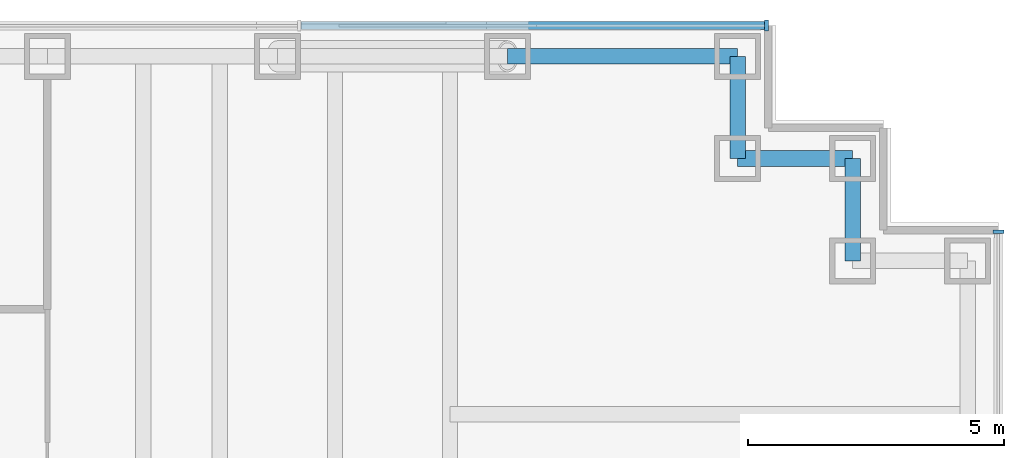
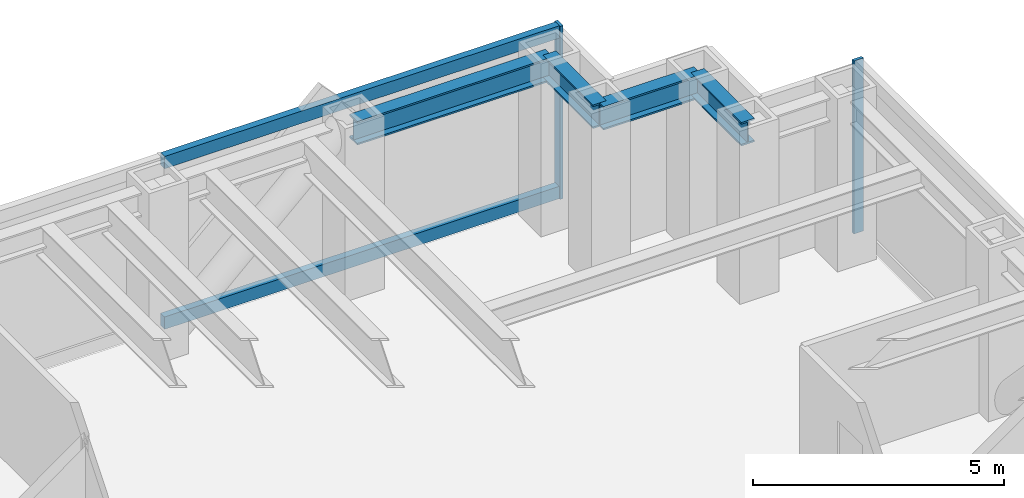
# One storey, part 9 of 15: 4 beams, 4 members, 2 elements without a shape of their own.
"""IFC4 building model written with IfcOpenShell, lengths in metres."""

from ifc_helpers import new_model, si_unit, direction, frame, origin, origin_2d, place, context, subcontext, project, spatial, rectangle, i_section, extrude, material, material_profile, profile_set, type_object, element, aggregate, save


model = new_model("IFC4")

# Units and contexts
model_context = context("Model", 3, precision=1e-05, world=origin(), true_north=direction((0.0, 1.0)))
body_context = subcontext(model_context, "Body", "Model", "MODEL_VIEW")
ifc_project = project(units=[si_unit("LENGTHUNIT", "METRE"), si_unit("AREAUNIT", "SQUARE_METRE"), si_unit("VOLUMEUNIT", "CUBIC_METRE"), si_unit("PLANEANGLEUNIT", "RADIAN"), si_unit("MASSUNIT", "GRAM", prefix="KILO")], contexts=[model_context])

# Site, building, storey
site_placement = place(None, origin())
site = spatial("IfcSite", under=ifc_project, at=site_placement, CompositionType="ELEMENT")
building_placement = place(site_placement, origin())
building = spatial("IfcBuilding", under=site, at=building_placement, Name="Rheinbord Bourse Tower", CompositionType="ELEMENT")
storey_placement = place(building_placement, frame((0.0, 0.0, 146.699951171875)))
storey = spatial("IfcBuildingStorey", under=building, at=storey_placement, Name="L32", CompositionType="ELEMENT", Elevation=146.699951171875)

# Curtain wall, member
ifc_material_1 = material(Name="Dark glass and black aluminium", Category="aluminium")
curtain_wall_type = type_object("IfcCurtainWallType", Name="CW2 DARK GLASS CURTAIN WALL", PredefinedType="USERDEFINED", material=ifc_material_1)
curtain_wall_1_placement = place(storey_placement, origin())
curtain_wall_1 = element("IfcCurtainWall", 1, at=curtain_wall_1_placement, inside=storey, type_object=curtain_wall_type, Name="Curtain wall CW2 E L32", ObjectType="UNITISED CURTAIN WALL", PredefinedType="USERDEFINED")
ifc_material_2 = material(Name="Black anodised aluminium", Category="aluminium")
ifc_material_profile_1 = material_profile(ifc_material_2, rectangle(XDim=0.219970703125, YDim=0.070068359375, at=origin_2d()), Name="CW2 MULLION 70x220")
ifc_profile_set_1 = profile_set([ifc_material_profile_1], Name="Black anodised aluminium")
member_type_1 = type_object("IfcMemberType", Name="CW2 BLACK MULLION", PredefinedType="MULLION", material=ifc_profile_set_1)
member_1_placement = place(storey_placement, frame((72.60009765625, 42.56494140625, 0.0), z_axis=(0.0, 0.0, 1.0), x_axis=(-1.0, 0.0, 0.0)))
member_1 = element("IfcMember", 2, at=member_1_placement, type_object=member_type_1, Name="CW2 mullion 6", PredefinedType="MULLION", context=body_context, shape_type="SweptSolid", body=[
    extrude(rectangle(XDim=0.219970703125, YDim=0.070068359375, at=origin_2d()), origin(), (0.0, 0.0, 1.0), 4.199951171875),
])
aggregate(curtain_wall_1, [member_1])

# Curtain wall, members
curtain_wall_2_placement = place(storey_placement, origin())
curtain_wall_2 = element("IfcCurtainWall", 3, at=curtain_wall_2_placement, inside=storey, type_object=curtain_wall_type, Name="Curtain wall CW2 N L32", ObjectType="UNITISED CURTAIN WALL", PredefinedType="USERDEFINED")
member_2_placement = place(storey_placement, frame((68.06494140625, 46.60009765625, 0.0), z_axis=(0.0, 0.0, 1.0), x_axis=(0.0, -1.0, 0.0)))
member_2 = element("IfcMember", 4, at=member_2_placement, type_object=member_type_1, Name="CW2 mullion 1", PredefinedType="MULLION", context=body_context, shape_type="SweptSolid", body=[
    extrude(rectangle(XDim=0.219970703125, YDim=0.070068359375, at=origin_2d()), origin(), (0.0, 0.0, 1.0), 4.199951171875),
])
ifc_material_3 = material(Name="Black anodised aluminium", Category="aluminium")
ifc_material_profile_2 = material_profile(ifc_material_3, rectangle(XDim=0.159912109375, YDim=0.300048828125, at=origin_2d()), Name="CW2 TRANSOM 300x160")
ifc_profile_set_2 = profile_set([ifc_material_profile_2], Name="Black anodised aluminium")
member_type_2 = type_object("IfcMemberType", Name="CW2 BLACK TRANSOM", PredefinedType="USERDEFINED", material=ifc_profile_set_2)
member_3_placement = place(storey_placement, frame((68.030029296875, 46.60009765625, 0.150146484375), z_axis=(-1.0, 0.0, 0.0), x_axis=(0.0, -1.0, 0.0)))
member_3 = element("IfcMember", 5, at=member_3_placement, type_object=member_type_2, Name="CW2 transom 1.1", ObjectType="TRANSOM", PredefinedType="USERDEFINED", context=body_context, shape_type="SweptSolid", body=[
    extrude(rectangle(XDim=0.159912109375, YDim=0.300048828125, at=origin_2d()), origin(), (0.0, 0.0, 1.0), 9.06640625),
])
member_4_placement = place(storey_placement, frame((68.030029296875, 46.60009765625, 4.050048828125), z_axis=(-1.0, 0.0, 0.0), x_axis=(0.0, -1.0, 0.0)))
member_4 = element("IfcMember", 6, at=member_4_placement, type_object=member_type_2, Name="CW2 transom 1.2", ObjectType="TRANSOM", PredefinedType="USERDEFINED", context=body_context, shape_type="SweptSolid", body=[
    extrude(rectangle(XDim=0.159912109375, YDim=0.300048828125, at=origin_2d()), origin(), (0.0, 0.0, 1.0), 9.06640625),
])
aggregate(curtain_wall_2, [member_2, member_3, member_4])

# Beams
ifc_material_4 = material(Name="Steel S460", Category="steel")
ifc_material_profile_3 = material_profile(ifc_material_4, i_section(OverallWidth=0.305908203125, OverallDepth=0.572021484375, WebThickness=0.02099609375, FlangeThickness=0.0400390625, at=origin_2d()), Name="HEM 550")
ifc_profile_set_3 = profile_set([ifc_material_profile_3], Name="Steel S460")
beam_type = type_object("IfcBeamType", Name="SPANDREL HEM 550", PredefinedType="SPANDREL", material=ifc_profile_set_3)
beam_1_placement = place(storey_placement, frame((69.75, 42.0, 3.754150390625), z_axis=(0.0, 1.0, 0.0), x_axis=(-1.0, 0.0, 0.0)))
element("IfcBeam", 7, at=beam_1_placement, inside=storey, type_object=beam_type, Name="Spandrel NE-B-NE-C under L33", PredefinedType="SPANDREL", context=body_context, shape_type="SweptSolid", body=[
    extrude(i_section(OverallWidth=0.305908203125, OverallDepth=0.572021484375, WebThickness=0.02099609375, FlangeThickness=0.0400390625, at=origin_2d()), origin(), (0.0, 0.0, 1.0), 2.0),
])
beam_2_placement = place(storey_placement, frame((69.75, 44.0, 3.754150390625), z_axis=(-1.0, 0.0, 0.0), x_axis=(0.0, -1.0, 0.0)))
element("IfcBeam", 8, at=beam_2_placement, inside=storey, type_object=beam_type, Name="Spandrel NE-C-NE-D under L33", PredefinedType="SPANDREL", context=body_context, shape_type="SweptSolid", body=[
    extrude(i_section(OverallWidth=0.305908203125, OverallDepth=0.572021484375, WebThickness=0.02099609375, FlangeThickness=0.0400390625, at=origin_2d()), origin(), (0.0, 0.0, 1.0), 2.25),
])
beam_3_placement = place(storey_placement, frame((67.5, 44.0, 3.754150390625), z_axis=(0.0, 1.0, 0.0), x_axis=(-1.0, 0.0, 0.0)))
element("IfcBeam", 9, at=beam_3_placement, inside=storey, type_object=beam_type, Name="Spandrel NE-D-NE-E under L33", PredefinedType="SPANDREL", context=body_context, shape_type="SweptSolid", body=[
    extrude(i_section(OverallWidth=0.305908203125, OverallDepth=0.572021484375, WebThickness=0.02099609375, FlangeThickness=0.0400390625, at=origin_2d()), origin(), (0.0, 0.0, 1.0), 2.0),
])
beam_4_placement = place(storey_placement, frame((67.5, 46.0, 3.754150390625), z_axis=(-1.0, 0.0, 0.0), x_axis=(0.0, -1.0, 0.0)))
element("IfcBeam", 10, at=beam_4_placement, inside=storey, type_object=beam_type, Name="Spandrel NE-E-N-63 under L33", PredefinedType="SPANDREL", context=body_context, shape_type="SweptSolid", body=[
    extrude(i_section(OverallWidth=0.305908203125, OverallDepth=0.572021484375, WebThickness=0.02099609375, FlangeThickness=0.0400390625, at=origin_2d()), origin(), (0.0, 0.0, 1.0), 4.5),
])

save(model, "model.ifc")
